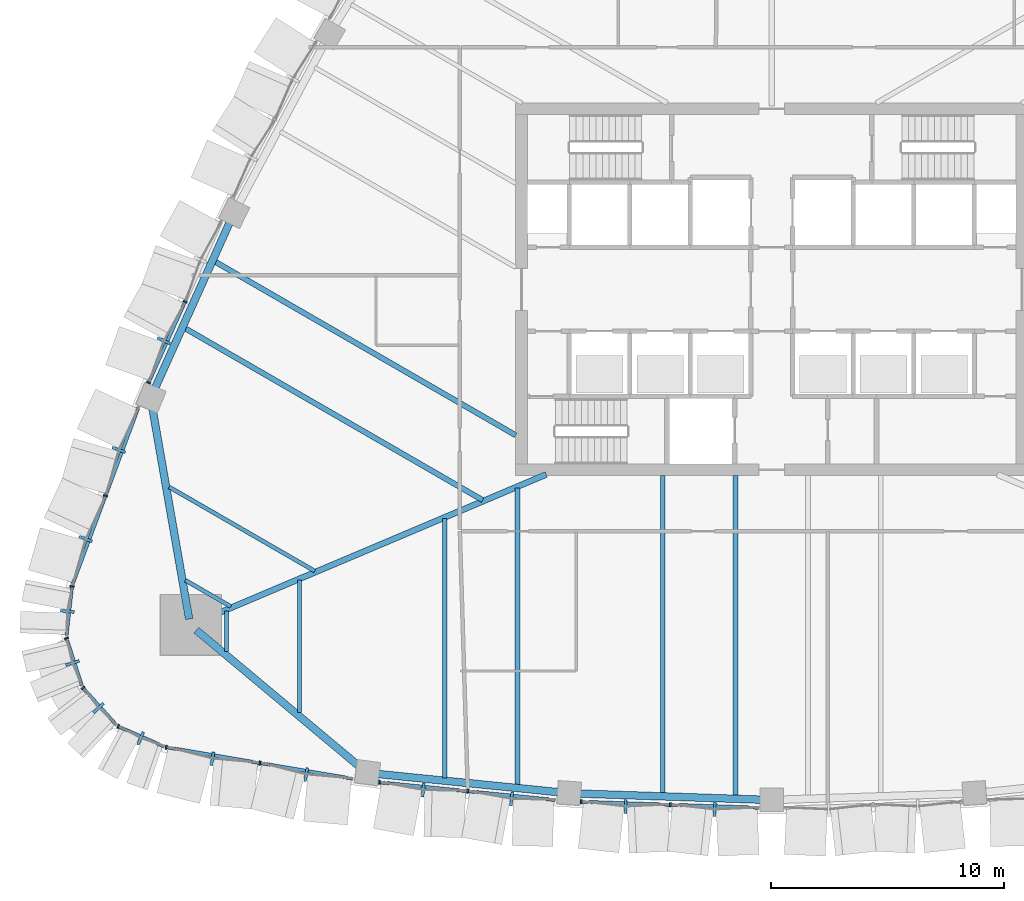
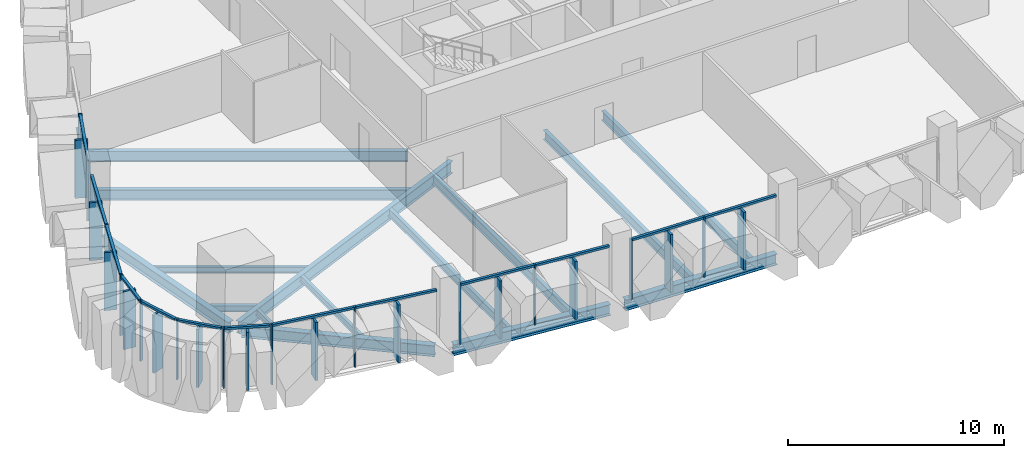
# One storey, part 2 of 18: 39 members, 16 beams, 9 elements without a shape of their own.
"""IFC4 building model written with IfcOpenShell, lengths in metres."""

from ifc_helpers import new_model, si_unit, direction, frame, origin, origin_2d, place, context, subcontext, project, spatial, rectangle, i_section, extrude, material, layer, layer_set, material_profile, profile_set, type_object, element, aggregate, save


model = new_model("IFC4")

# Units and contexts
model_context = context("Model", 3, precision=1e-05, world=origin(), true_north=direction((0.0, 1.0)))
body_context = subcontext(model_context, "Body", "Model", "MODEL_VIEW")
ifc_project = project(units=[si_unit("LENGTHUNIT", "METRE"), si_unit("AREAUNIT", "SQUARE_METRE"), si_unit("VOLUMEUNIT", "CUBIC_METRE"), si_unit("PLANEANGLEUNIT", "RADIAN"), si_unit("MASSUNIT", "GRAM", prefix="KILO")], contexts=[model_context])

# Site, building, storey
site_placement = place(None, origin())
site = spatial("IfcSite", under=ifc_project, at=site_placement, CompositionType="ELEMENT")
building_placement = place(site_placement, origin())
building = spatial("IfcBuilding", under=site, at=building_placement, Name="Sierra Prisma Convention Tower", CompositionType="ELEMENT")
storey_placement = place(building_placement, frame((0.0, 0.0, 129.800048828125)))
storey = spatial("IfcBuildingStorey", under=building, at=storey_placement, Name="L27", CompositionType="ELEMENT", Elevation=129.800048828125)

# Curtain wall, members
ifc_material_1 = material(Name="Aluminium and glass curtain wall", Category="aluminium")
ifc_layer = layer(ifc_material_1, 0.179931640625)
ifc_layer_set = layer_set([ifc_layer], Name="CW-2 Faceted crystal curtain wall")
curtain_wall_type = type_object("IfcCurtainWallType", Name="CW-2 Faceted crystal curtain wall", PredefinedType="NOTDEFINED", material=ifc_layer_set)
curtain_wall_1_placement = place(storey_placement, origin())
curtain_wall_1 = element("IfcCurtainWall", 1, at=curtain_wall_1_placement, inside=storey, type_object=curtain_wall_type, Name="CW-2 S1 L27", PredefinedType="NOTDEFINED")
ifc_material_2 = material(Name="Aluminium 6063-T6 bronze anodised", Category="aluminium")
ifc_material_profile_1 = material_profile(ifc_material_2, rectangle(XDim=0.1201171875, YDim=0.60009765625, at=origin_2d()), Name="ALU RIDGE BLADE 120x600")
ifc_profile_set_1 = profile_set([ifc_material_profile_1], Name="Aluminium 6063-T6 bronze anodised")
member_type_1 = type_object("IfcMemberType", Name="CW hip bronze", PredefinedType="MULLION", material=ifc_profile_set_1)
member_1_placement = place(storey_placement, frame((-24.027587890625, -20.16845703125, 0.0), z_axis=(0.0, 0.0, 1.0), x_axis=(0.986041640305, -0.166498899652, 0.0)))
member_1 = element("IfcMember", 2, at=member_1_placement, type_object=member_type_1, Name="CW-2 ridge S1.1", PredefinedType="MULLION", context=body_context, shape_type="SweptSolid", body=[
    extrude(rectangle(XDim=0.1201171875, YDim=0.60009765625, at=origin_2d()), origin(), (0.0, 0.0, 1.0), 3.280029296875),
])
member_2_placement = place(storey_placement, frame((-19.99951171875, -20.8486328125, 0.0), z_axis=(0.0, 0.0, 1.0), x_axis=(0.986041640305, -0.166498899652, 0.0)))
member_2 = element("IfcMember", 3, at=member_2_placement, type_object=member_type_1, Name="CW-2 ridge S1.2", PredefinedType="MULLION", context=body_context, shape_type="SweptSolid", body=[
    extrude(rectangle(XDim=0.1201171875, YDim=0.60009765625, at=origin_2d()), origin(), (0.0, 0.0, 1.0), 3.280029296875),
])

curtain_wall_2_placement = place(storey_placement, origin())
curtain_wall_2 = element("IfcCurtainWall", 4, at=curtain_wall_2_placement, inside=storey, type_object=curtain_wall_type, Name="CW-2 S2 L27", PredefinedType="NOTDEFINED")
member_3_placement = place(storey_placement, frame((-14.97265625, -21.517578125, 0.0), z_axis=(0.0, 0.0, 1.0), x_axis=(0.994967483363, -0.100198338565, 0.0)))
member_3 = element("IfcMember", 5, at=member_3_placement, type_object=member_type_1, Name="CW-2 ridge S2.1", PredefinedType="MULLION", context=body_context, shape_type="SweptSolid", body=[
    extrude(rectangle(XDim=0.1201171875, YDim=0.60009765625, at=origin_2d()), origin(), (0.0, 0.0, 1.0), 3.280029296875),
])
member_4_placement = place(storey_placement, frame((-11.17919921875, -21.899658203125, 0.0), z_axis=(0.0, 0.0, 1.0), x_axis=(0.994967483363, -0.100198338565, 0.0)))
member_4 = element("IfcMember", 6, at=member_4_placement, type_object=member_type_1, Name="CW-2 ridge S2.2", PredefinedType="MULLION", context=body_context, shape_type="SweptSolid", body=[
    extrude(rectangle(XDim=0.1201171875, YDim=0.60009765625, at=origin_2d()), origin(), (0.0, 0.0, 1.0), 3.280029296875),
])

curtain_wall_3_placement = place(storey_placement, origin())
curtain_wall_3 = element("IfcCurtainWall", 7, at=curtain_wall_3_placement, inside=storey, type_object=curtain_wall_type, Name="CW-2 S3 L27", PredefinedType="NOTDEFINED")
member_5_placement = place(storey_placement, frame((-6.279541015625, -22.227783203125, 0.0), z_axis=(0.0, 0.0, 1.0), x_axis=(0.999440414047, -0.03344934632, 0.0)))
member_5 = element("IfcMember", 8, at=member_5_placement, type_object=member_type_1, Name="CW-2 ridge S3.1", PredefinedType="MULLION", context=body_context, shape_type="SweptSolid", body=[
    extrude(rectangle(XDim=0.1201171875, YDim=0.60009765625, at=origin_2d()), origin(), (0.0, 0.0, 1.0), 3.280029296875),
])
member_6_placement = place(storey_placement, frame((-2.452880859375, -22.35595703125, 0.0), z_axis=(0.0, 0.0, 1.0), x_axis=(0.999440414047, -0.03344934632, 0.0)))
member_6 = element("IfcMember", 9, at=member_6_placement, type_object=member_type_1, Name="CW-2 ridge S3.2", PredefinedType="MULLION", context=body_context, shape_type="SweptSolid", body=[
    extrude(rectangle(XDim=0.1201171875, YDim=0.60009765625, at=origin_2d()), origin(), (0.0, 0.0, 1.0), 3.280029296875),
])

# Curtain wall, member
curtain_wall_4_placement = place(storey_placement, origin())
curtain_wall_4 = element("IfcCurtainWall", 10, at=curtain_wall_4_placement, inside=storey, type_object=curtain_wall_type, Name="CW-2 NW5 L27", PredefinedType="NOTDEFINED")
member_7_placement = place(storey_placement, frame((-26.12109375, -2.2080078125, 0.0), z_axis=(0.0, 0.0, 1.0), x_axis=(-0.410709435067, -0.911766285814, 0.0)))
member_7 = element("IfcMember", 11, at=member_7_placement, type_object=member_type_1, Name="CW-2 ridge NW5.2", PredefinedType="MULLION", context=body_context, shape_type="SweptSolid", body=[
    extrude(rectangle(XDim=0.1201171875, YDim=0.60009765625, at=origin_2d()), origin(), (0.0, 0.0, 1.0), 3.280029296875),
])

# Curtain wall, members
curtain_wall_5_placement = place(storey_placement, origin())
curtain_wall_5 = element("IfcCurtainWall", 12, at=curtain_wall_5_placement, inside=storey, type_object=curtain_wall_type, Name="CW-2 NW6 L27", PredefinedType="NOTDEFINED")
member_8_placement = place(storey_placement, frame((-28.05517578125, -6.895751953125, 0.0), z_axis=(0.0, 0.0, 1.0), x_axis=(-0.348828543352, -0.937186559519, 0.0)))
member_8 = element("IfcMember", 13, at=member_8_placement, type_object=member_type_1, Name="CW-2 ridge NW6.1", PredefinedType="MULLION", context=body_context, shape_type="SweptSolid", body=[
    extrude(rectangle(XDim=0.1201171875, YDim=0.60009765625, at=origin_2d()), origin(), (0.0, 0.0, 1.0), 3.280029296875),
])
member_9_placement = place(storey_placement, frame((-29.480224609375, -10.724365234375, 0.0), z_axis=(0.0, 0.0, 1.0), x_axis=(-0.348828543352, -0.937186559519, 0.0)))
member_9 = element("IfcMember", 14, at=member_9_placement, type_object=member_type_1, Name="CW-2 ridge NW6.2", PredefinedType="MULLION", context=body_context, shape_type="SweptSolid", body=[
    extrude(rectangle(XDim=0.1201171875, YDim=0.60009765625, at=origin_2d()), origin(), (0.0, 0.0, 1.0), 3.280029296875),
])

# Curtain wall, member
curtain_wall_6_placement = place(storey_placement, origin())
curtain_wall_6 = element("IfcCurtainWall", 15, at=curtain_wall_6_placement, inside=storey, type_object=curtain_wall_type, Name="CW-2 SW1 L27", PredefinedType="NOTDEFINED")
member_10_placement = place(storey_placement, frame((-30.263916015625, -13.834228515625, 0.0), z_axis=(0.0, 0.0, 1.0), x_axis=(-0.111019910952, -0.993818182251, 0.0)))
member_10 = element("IfcMember", 16, at=member_10_placement, type_object=member_type_1, Name="CW-2 ridge SW1.1", PredefinedType="MULLION", context=body_context, shape_type="SweptSolid", body=[
    extrude(rectangle(XDim=0.1201171875, YDim=0.60009765625, at=origin_2d()), origin(), (0.0, 0.0, 1.0), 3.280029296875),
])

curtain_wall_7_placement = place(storey_placement, origin())
curtain_wall_7 = element("IfcCurtainWall", 17, at=curtain_wall_7_placement, inside=storey, type_object=curtain_wall_type, Name="CW-2 SW2 L27", PredefinedType="NOTDEFINED")
member_11_placement = place(storey_placement, frame((-30.040283203125, -16.054931640625, 0.0), z_axis=(0.0, 0.0, 1.0), x_axis=(0.306946292331, -0.951726837714, 0.0)))
member_11 = element("IfcMember", 18, at=member_11_placement, type_object=member_type_1, Name="CW-2 ridge SW2.1", PredefinedType="MULLION", context=body_context, shape_type="SweptSolid", body=[
    extrude(rectangle(XDim=0.1201171875, YDim=0.60009765625, at=origin_2d()), origin(), (0.0, 0.0, 1.0), 3.280029296875),
])

curtain_wall_8_placement = place(storey_placement, origin())
curtain_wall_8 = element("IfcCurtainWall", 19, at=curtain_wall_8_placement, inside=storey, type_object=curtain_wall_type, Name="CW-2 SW3 L27", PredefinedType="NOTDEFINED")
member_12_placement = place(storey_placement, frame((-28.92431640625, -17.988037109375, 0.0), z_axis=(0.0, 0.0, 1.0), x_axis=(0.670746472758, -0.741686705613, 0.0)))
member_12 = element("IfcMember", 20, at=member_12_placement, type_object=member_type_1, Name="CW-2 ridge SW3.1", PredefinedType="MULLION", context=body_context, shape_type="SweptSolid", body=[
    extrude(rectangle(XDim=0.1201171875, YDim=0.60009765625, at=origin_2d()), origin(), (0.0, 0.0, 1.0), 3.280029296875),
])

curtain_wall_9_placement = place(storey_placement, origin())
curtain_wall_9 = element("IfcCurtainWall", 21, at=curtain_wall_9_placement, inside=storey, type_object=curtain_wall_type, Name="CW-2 SW4 L27", PredefinedType="NOTDEFINED")
member_13_placement = place(storey_placement, frame((-27.11279296875, -19.292236328125, 0.0), z_axis=(0.0, 0.0, 1.0), x_axis=(0.916181748048, -0.400763027915, 0.0)))
member_13 = element("IfcMember", 22, at=member_13_placement, type_object=member_type_1, Name="CW-2 ridge SW4.1", PredefinedType="MULLION", context=body_context, shape_type="SweptSolid", body=[
    extrude(rectangle(XDim=0.1201171875, YDim=0.60009765625, at=origin_2d()), origin(), (0.0, 0.0, 1.0), 3.280029296875),
])

# Member
ifc_material_3 = material(Name="Aluminium 6063-T6 bronze anodised", Category="aluminium")
ifc_material_profile_2 = material_profile(ifc_material_3, rectangle(XDim=0.179931640625, YDim=0.070068359375, at=origin_2d()), Name="ALU MULLION 70x180")
ifc_profile_set_2 = profile_set([ifc_material_profile_2], Name="Aluminium 6063-T6 bronze anodised")
member_type_2 = type_object("IfcMemberType", Name="CW mullion bronze", PredefinedType="MULLION", material=ifc_profile_set_2)
member_14_placement = place(storey_placement, frame((-26.015380859375, -19.67236328125, 0.0), z_axis=(0.0, 0.0, 1.0), x_axis=(0.166498899652, 0.986041640305, 0.0)))
member_14 = element("IfcMember", 23, at=member_14_placement, type_object=member_type_2, Name="CW-1 mullion S1.1", PredefinedType="MULLION", context=body_context, shape_type="SweptSolid", body=[
    extrude(rectangle(XDim=0.179931640625, YDim=0.070068359375, at=origin_2d()), origin(), (0.0, 0.0, 1.0), 3.39990234375),
])

member_15_placement = place(storey_placement, frame((-21.9873046875, -20.3525390625, 0.0), z_axis=(0.0, 0.0, 1.0), x_axis=(0.166498899652, 0.986041640305, 0.0)))
member_15 = element("IfcMember", 24, at=member_15_placement, type_object=member_type_2, Name="CW-1 mullion S1.2", PredefinedType="MULLION", context=body_context, shape_type="SweptSolid", body=[
    extrude(rectangle(XDim=0.179931640625, YDim=0.070068359375, at=origin_2d()), origin(), (0.0, 0.0, 1.0), 3.39990234375),
])

member_16_placement = place(storey_placement, frame((-16.854736328125, -21.179931640625, 0.0), z_axis=(0.0, 0.0, 1.0), x_axis=(0.100198338565, 0.994967483363, 0.0)))
member_16 = element("IfcMember", 25, at=member_16_placement, type_object=member_type_2, Name="CW-1 mullion S2.1", PredefinedType="MULLION", context=body_context, shape_type="SweptSolid", body=[
    extrude(rectangle(XDim=0.179931640625, YDim=0.070068359375, at=origin_2d()), origin(), (0.0, 0.0, 1.0), 3.39990234375),
])

member_17_placement = place(storey_placement, frame((-13.061279296875, -21.56201171875, 0.0), z_axis=(0.0, 0.0, 1.0), x_axis=(0.100198338565, 0.994967483363, 0.0)))
member_17 = element("IfcMember", 26, at=member_17_placement, type_object=member_type_2, Name="CW-1 mullion S2.2", PredefinedType="MULLION", context=body_context, shape_type="SweptSolid", body=[
    extrude(rectangle(XDim=0.179931640625, YDim=0.070068359375, at=origin_2d()), origin(), (0.0, 0.0, 1.0), 3.39990234375),
])

member_18_placement = place(storey_placement, frame((-8.18798828125, -22.015869140625, 0.0), z_axis=(0.0, 0.0, 1.0), x_axis=(0.03344934632, 0.999440414047, 0.0)))
member_18 = element("IfcMember", 27, at=member_18_placement, type_object=member_type_2, Name="CW-1 mullion S3.1", PredefinedType="MULLION", context=body_context, shape_type="SweptSolid", body=[
    extrude(rectangle(XDim=0.179931640625, YDim=0.070068359375, at=origin_2d()), origin(), (0.0, 0.0, 1.0), 3.39990234375),
])

member_19_placement = place(storey_placement, frame((-4.361328125, -22.14404296875, 0.0), z_axis=(0.0, 0.0, 1.0), x_axis=(0.03344934632, 0.999440414047, 0.0)))
member_19 = element("IfcMember", 28, at=member_19_placement, type_object=member_type_2, Name="CW-1 mullion S3.2", PredefinedType="MULLION", context=body_context, shape_type="SweptSolid", body=[
    extrude(rectangle(XDim=0.179931640625, YDim=0.070068359375, at=origin_2d()), origin(), (0.0, 0.0, 1.0), 3.39990234375),
])

member_20_placement = place(storey_placement, frame((-25.203857421875, -0.5302734375, 0.0), z_axis=(0.0, 0.0, 1.0), x_axis=(0.911766285814, -0.410709435067, 0.0)))
member_20 = element("IfcMember", 29, at=member_20_placement, type_object=member_type_2, Name="CW-1 mullion NW5.2", PredefinedType="MULLION", context=body_context, shape_type="SweptSolid", body=[
    extrude(rectangle(XDim=0.179931640625, YDim=0.070068359375, at=origin_2d()), origin(), (0.0, 0.0, 1.0), 3.39990234375),
])

member_21_placement = place(storey_placement, frame((-26.769775390625, -4.006591796875, 0.0), z_axis=(0.0, 0.0, 1.0), x_axis=(0.911766285814, -0.410709435067, 0.0)))
member_21 = element("IfcMember", 30, at=member_21_placement, type_object=member_type_2, Name="CW-1 mullion NW5.3", PredefinedType="MULLION", context=body_context, shape_type="SweptSolid", body=[
    extrude(rectangle(XDim=0.179931640625, YDim=0.070068359375, at=origin_2d()), origin(), (0.0, 0.0, 1.0), 3.39990234375),
])

member_22_placement = place(storey_placement, frame((-28.61962890625, -8.865234375, 0.0), z_axis=(0.0, 0.0, 1.0), x_axis=(0.937186559519, -0.348828543352, 0.0)))
member_22 = element("IfcMember", 31, at=member_22_placement, type_object=member_type_2, Name="CW-1 mullion NW6.2", PredefinedType="MULLION", context=body_context, shape_type="SweptSolid", body=[
    extrude(rectangle(XDim=0.179931640625, YDim=0.070068359375, at=origin_2d()), origin(), (0.0, 0.0, 1.0), 3.39990234375),
])

member_23_placement = place(storey_placement, frame((-30.060546875, -12.761474609375, 0.0), z_axis=(0.0, 0.0, 1.0), x_axis=(0.993818182251, -0.111019910952, 0.0)))
member_23 = element("IfcMember", 32, at=member_23_placement, type_object=member_type_2, Name="CW-1 mullion SW1.1", PredefinedType="MULLION", context=body_context, shape_type="SweptSolid", body=[
    extrude(rectangle(XDim=0.179931640625, YDim=0.070068359375, at=origin_2d()), origin(), (0.0, 0.0, 1.0), 3.39990234375),
])

member_24_placement = place(storey_placement, frame((-30.295654296875, -14.993408203125, 0.0), z_axis=(0.0, 0.0, 1.0), x_axis=(0.951726837714, 0.306946292331, 0.0)))
member_24 = element("IfcMember", 33, at=member_24_placement, type_object=member_type_2, Name="CW-1 mullion SW2.1", PredefinedType="MULLION", context=body_context, shape_type="SweptSolid", body=[
    extrude(rectangle(XDim=0.179931640625, YDim=0.070068359375, at=origin_2d()), origin(), (0.0, 0.0, 1.0), 3.39990234375),
])

member_25_placement = place(storey_placement, frame((-29.593017578125, -17.125, 0.0), z_axis=(0.0, 0.0, 1.0), x_axis=(0.741686705613, 0.670746472758, 0.0)))
member_25 = element("IfcMember", 34, at=member_25_placement, type_object=member_type_2, Name="CW-1 mullion SW3.1", PredefinedType="MULLION", context=body_context, shape_type="SweptSolid", body=[
    extrude(rectangle(XDim=0.179931640625, YDim=0.070068359375, at=origin_2d()), origin(), (0.0, 0.0, 1.0), 3.39990234375),
])

member_26_placement = place(storey_placement, frame((-28.076904296875, -18.780029296875, 0.0), z_axis=(0.0, 0.0, 1.0), x_axis=(0.400763027915, 0.916181748048, 0.0)))
member_26 = element("IfcMember", 35, at=member_26_placement, type_object=member_type_2, Name="CW-1 mullion SW4.1", PredefinedType="MULLION", context=body_context, shape_type="SweptSolid", body=[
    extrude(rectangle(XDim=0.179931640625, YDim=0.070068359375, at=origin_2d()), origin(), (0.0, 0.0, 1.0), 3.39990234375),
])

ifc_material_4 = material(Name="Aluminium 6063-T6 bronze anodised", Category="aluminium")
ifc_material_profile_3 = material_profile(ifc_material_4, rectangle(XDim=0.139892578125, YDim=0.1201171875, at=origin_2d()), Name="ALU TRANSOM 120x140")
ifc_profile_set_3 = profile_set([ifc_material_profile_3], Name="Aluminium 6063-T6 bronze anodised")
member_type_3 = type_object("IfcMemberType", Name="CW transom bronze", PredefinedType="USERDEFINED", material=ifc_profile_set_3)
member_27_placement = place(storey_placement, frame((-25.98095703125, -19.67822265625, 3.33984375), z_axis=(0.986035004571, -0.166538193101, 0.0), x_axis=(0.166538193101, 0.986035004571, 0.0)))
member_27 = element("IfcMember", 36, at=member_27_placement, type_object=member_type_3, Name="CW-1 transom S1.1", ObjectType="TRANSOM", PredefinedType="USERDEFINED", context=body_context, shape_type="SweptSolid", body=[
    extrude(rectangle(XDim=0.139892578125, YDim=0.1201171875, at=origin_2d()), origin(), (0.0, 0.0, 1.0), 4.015380859375),
])

member_28_placement = place(storey_placement, frame((-21.952880859375, -20.3583984375, 3.33984375), z_axis=(0.986035004571, -0.166538193101, 0.0), x_axis=(0.166538193101, 0.986035004571, 0.0)))
member_28 = element("IfcMember", 37, at=member_28_placement, type_object=member_type_3, Name="CW-1 transom S1.2", ObjectType="TRANSOM", PredefinedType="USERDEFINED", context=body_context, shape_type="SweptSolid", body=[
    extrude(rectangle(XDim=0.139892578125, YDim=0.1201171875, at=origin_2d()), origin(), (0.0, 0.0, 1.0), 4.015380859375),
])

aggregate(curtain_wall_1, [member_14, member_15, member_27, member_1, member_28, member_2])

member_29_placement = place(storey_placement, frame((-16.81982421875, -21.18359375, 3.33984375), z_axis=(0.994967844169, -0.100194755697, 0.0), x_axis=(0.100194755697, 0.994967844169, 0.0)))
member_29 = element("IfcMember", 38, at=member_29_placement, type_object=member_type_3, Name="CW-1 transom S2.1", ObjectType="TRANSOM", PredefinedType="USERDEFINED", context=body_context, shape_type="SweptSolid", body=[
    extrude(rectangle(XDim=0.139892578125, YDim=0.1201171875, at=origin_2d()), origin(), (0.0, 0.0, 1.0), 3.74267578125),
])

member_30_placement = place(storey_placement, frame((-13.0263671875, -21.5654296875, 3.33984375), z_axis=(0.994967844169, -0.100194755697, 0.0), x_axis=(0.100194755697, 0.994967844169, 0.0)))
member_30 = element("IfcMember", 39, at=member_30_placement, type_object=member_type_3, Name="CW-1 transom S2.2", ObjectType="TRANSOM", PredefinedType="USERDEFINED", context=body_context, shape_type="SweptSolid", body=[
    extrude(rectangle(XDim=0.139892578125, YDim=0.1201171875, at=origin_2d()), origin(), (0.0, 0.0, 1.0), 3.74267578125),
])

aggregate(curtain_wall_2, [member_16, member_17, member_29, member_3, member_30, member_4])

member_31_placement = place(storey_placement, frame((-8.153076171875, -22.01708984375, 3.33984375), z_axis=(0.999440428664, -0.033448909589, 0.0), x_axis=(0.033448909589, 0.999440428664, 0.0)))
member_31 = element("IfcMember", 40, at=member_31_placement, type_object=member_type_3, Name="CW-1 transom S3.1", ObjectType="TRANSOM", PredefinedType="USERDEFINED", context=body_context, shape_type="SweptSolid", body=[
    extrude(rectangle(XDim=0.139892578125, YDim=0.1201171875, at=origin_2d()), origin(), (0.0, 0.0, 1.0), 3.759033203125),
])

member_32_placement = place(storey_placement, frame((-4.326416015625, -22.145263671875, 3.33984375), z_axis=(0.999440428664, -0.033448909589, 0.0), x_axis=(0.033448909589, 0.999440428664, 0.0)))
member_32 = element("IfcMember", 41, at=member_32_placement, type_object=member_type_3, Name="CW-1 transom S3.2", ObjectType="TRANSOM", PredefinedType="USERDEFINED", context=body_context, shape_type="SweptSolid", body=[
    extrude(rectangle(XDim=0.139892578125, YDim=0.1201171875, at=origin_2d()), origin(), (0.0, 0.0, 1.0), 3.759033203125),
])

aggregate(curtain_wall_3, [member_18, member_19, member_31, member_5, member_32, member_6])

member_33_placement = place(storey_placement, frame((-25.21826171875, -0.562255859375, 3.33984375), z_axis=(-0.410709123497, -0.911766426162, 0.0), x_axis=(0.911766426162, -0.410709123497, 0.0)))
member_33 = element("IfcMember", 42, at=member_33_placement, type_object=member_type_3, Name="CW-1 transom NW5.2", ObjectType="TRANSOM", PredefinedType="USERDEFINED", context=body_context, shape_type="SweptSolid", body=[
    extrude(rectangle(XDim=0.139892578125, YDim=0.1201171875, at=origin_2d()), origin(), (0.0, 0.0, 1.0), 3.74267578125),
])

aggregate(curtain_wall_4, [member_20, member_21, member_33, member_7])

member_34_placement = place(storey_placement, frame((-27.206787109375, -5.069580078125, 3.33984375), z_axis=(-0.348836803557, -0.937183484961, 0.0), x_axis=(0.937183484961, -0.348836803557, 0.0)))
member_34 = element("IfcMember", 43, at=member_34_placement, type_object=member_type_3, Name="CW-1 transom NW6.1", ObjectType="TRANSOM", PredefinedType="USERDEFINED", context=body_context, shape_type="SweptSolid", body=[
    extrude(rectangle(XDim=0.139892578125, YDim=0.1201171875, at=origin_2d()), origin(), (0.0, 0.0, 1.0), 4.01513671875),
])

member_35_placement = place(storey_placement, frame((-28.6318359375, -8.89794921875, 3.33984375), z_axis=(-0.348836803557, -0.937183484961, 0.0), x_axis=(0.937183484961, -0.348836803557, 0.0)))
member_35 = element("IfcMember", 44, at=member_35_placement, type_object=member_type_3, Name="CW-1 transom NW6.2", ObjectType="TRANSOM", PredefinedType="USERDEFINED", context=body_context, shape_type="SweptSolid", body=[
    extrude(rectangle(XDim=0.139892578125, YDim=0.1201171875, at=origin_2d()), origin(), (0.0, 0.0, 1.0), 4.01513671875),
])

aggregate(curtain_wall_5, [member_22, member_34, member_8, member_35, member_9])

member_36_placement = place(storey_placement, frame((-30.064453125, -12.796142578125, 3.33984375), z_axis=(-0.111092649687, -0.993810053876, 0.0), x_axis=(0.993810053876, -0.111092649687, 0.0)))
member_36 = element("IfcMember", 45, at=member_36_placement, type_object=member_type_3, Name="CW-1 transom SW1.1", ObjectType="TRANSOM", PredefinedType="USERDEFINED", context=body_context, shape_type="SweptSolid", body=[
    extrude(rectangle(XDim=0.139892578125, YDim=0.1201171875, at=origin_2d()), origin(), (0.0, 0.0, 1.0), 2.107421875),
])

aggregate(curtain_wall_6, [member_23, member_36, member_10])

member_37_placement = place(storey_placement, frame((-30.284912109375, -15.02685546875, 3.33984375), z_axis=(0.307002779923, -0.951708617761, 0.0), x_axis=(0.951708617761, 0.307002779923, 0.0)))
member_37 = element("IfcMember", 46, at=member_37_placement, type_object=member_type_3, Name="CW-1 transom SW2.1", ObjectType="TRANSOM", PredefinedType="USERDEFINED", context=body_context, shape_type="SweptSolid", body=[
    extrude(rectangle(XDim=0.139892578125, YDim=0.1201171875, at=origin_2d()), origin(), (0.0, 0.0, 1.0), 2.107421875),
])

aggregate(curtain_wall_7, [member_24, member_37, member_11])

member_38_placement = place(storey_placement, frame((-29.569580078125, -17.15087890625, 3.33984375), z_axis=(0.670710074306, -0.741719621033, 0.0), x_axis=(0.741719621033, 0.670710074306, 0.0)))
member_38 = element("IfcMember", 47, at=member_38_placement, type_object=member_type_3, Name="CW-1 transom SW3.1", ObjectType="TRANSOM", PredefinedType="USERDEFINED", context=body_context, shape_type="SweptSolid", body=[
    extrude(rectangle(XDim=0.139892578125, YDim=0.1201171875, at=origin_2d()), origin(), (0.0, 0.0, 1.0), 2.107666015625),
])

aggregate(curtain_wall_8, [member_25, member_38, member_12])

member_39_placement = place(storey_placement, frame((-28.044921875, -18.7939453125, 3.33984375), z_axis=(0.916165310474, -0.400800603647, 0.0), x_axis=(0.400800603647, 0.916165310474, 0.0)))
member_39 = element("IfcMember", 48, at=member_39_placement, type_object=member_type_3, Name="CW-1 transom SW4.1", ObjectType="TRANSOM", PredefinedType="USERDEFINED", context=body_context, shape_type="SweptSolid", body=[
    extrude(rectangle(XDim=0.139892578125, YDim=0.1201171875, at=origin_2d()), origin(), (0.0, 0.0, 1.0), 2.107666015625),
])

aggregate(curtain_wall_9, [member_26, member_39, member_13])

# Beams
ifc_material_5 = material(Name="Steel ASTM A992 Gr 50", Category="steel")
ifc_material_profile_4 = material_profile(ifc_material_5, i_section(OverallWidth=0.172119140625, OverallDepth=0.35791015625, WebThickness=0.0078125, FlangeThickness=0.01318359375, at=origin_2d()), Name="W360x57")
ifc_profile_set_4 = profile_set([ifc_material_profile_4], Name="Steel ASTM A992 Gr 50")
beam_type_1 = type_object("IfcBeamType", Name="Floor joist W360x57", PredefinedType="JOIST", material=ifc_profile_set_4)
beam_1_placement = place(storey_placement, frame((-23.421875, -15.5673828125, -0.3291015625), z_axis=(0.0, 1.0, 0.0), x_axis=(-1.0, 0.0, 0.0)))
element("IfcBeam", 49, at=beam_1_placement, inside=storey, type_object=beam_type_1, Name="Floor joist L27 S01", PredefinedType="JOIST", context=body_context, shape_type="SweptSolid", body=[
    extrude(i_section(OverallWidth=0.172119140625, OverallDepth=0.35791015625, WebThickness=0.0078125, FlangeThickness=0.01318359375, at=origin_2d()), origin(), (0.0, 0.0, 1.0), 1.748779296875),
])
beam_2_placement = place(storey_placement, frame((-20.298828125, -18.177734375, -0.3291015625), z_axis=(0.0, 1.0, 0.0), x_axis=(-1.0, 0.0, 0.0)))
element("IfcBeam", 50, at=beam_2_placement, inside=storey, type_object=beam_type_1, Name="Floor joist L27 S02", PredefinedType="JOIST", context=body_context, shape_type="SweptSolid", body=[
    extrude(i_section(OverallWidth=0.172119140625, OverallDepth=0.35791015625, WebThickness=0.0078125, FlangeThickness=0.01318359375, at=origin_2d()), origin(), (0.0, 0.0, 1.0), 5.680419921875),
])
beam_3_placement = place(storey_placement, frame((-25.891845703125, -8.490478515625, -0.3291015625), z_axis=(0.866023038219, -0.500004097258, 0.0), x_axis=(0.500004097258, 0.866023038219, 0.0)))
element("IfcBeam", 51, at=beam_3_placement, inside=storey, type_object=beam_type_1, Name="Floor joist L27 NW15", PredefinedType="JOIST", context=body_context, shape_type="SweptSolid", body=[
    extrude(i_section(OverallWidth=0.172119140625, OverallDepth=0.35791015625, WebThickness=0.0078125, FlangeThickness=0.01318359375, at=origin_2d()), origin(), (0.0, 0.0, 1.0), 7.228515625),
])
beam_4_placement = place(storey_placement, frame((-25.192626953125, -12.500244140625, -0.3291015625), z_axis=(0.866066817379, -0.499928262689, 0.0), x_axis=(0.499928262689, 0.866066817379, 0.0)))
element("IfcBeam", 52, at=beam_4_placement, inside=storey, type_object=beam_type_1, Name="Floor joist L27 NW16", PredefinedType="JOIST", context=body_context, shape_type="SweptSolid", body=[
    extrude(i_section(OverallWidth=0.172119140625, OverallDepth=0.35791015625, WebThickness=0.0078125, FlangeThickness=0.01318359375, at=origin_2d()), origin(), (0.0, 0.0, 1.0), 2.259033203125),
])
ifc_material_6 = material(Name="Steel ASTM A992 Gr 50", Category="steel")
ifc_material_profile_5 = material_profile(ifc_material_6, i_section(OverallWidth=0.18994140625, OverallDepth=0.45703125, WebThickness=0.009033203125, FlangeThickness=0.014404296875, at=origin_2d()), Name="W460x74")
ifc_profile_set_5 = profile_set([ifc_material_profile_5], Name="Steel ASTM A992 Gr 50")
beam_type_2 = type_object("IfcBeamType", Name="Floor joist W460x74", PredefinedType="JOIST", material=ifc_profile_set_5)
beam_5_placement = place(storey_placement, frame((-14.052978515625, -20.997314453125, -0.378662109375), z_axis=(0.0, 1.0, 0.0), x_axis=(-1.0, 0.0, 0.0)))
element("IfcBeam", 53, at=beam_5_placement, inside=storey, type_object=beam_type_2, Name="Floor joist L27 S04", PredefinedType="JOIST", context=body_context, shape_type="SweptSolid", body=[
    extrude(i_section(OverallWidth=0.18994140625, OverallDepth=0.45703125, WebThickness=0.009033203125, FlangeThickness=0.014404296875, at=origin_2d()), origin(), (0.0, 0.0, 1.0), 11.142578125),
])
ifc_material_7 = material(Name="Steel ASTM A992 Gr 50", Category="steel")
ifc_material_profile_6 = material_profile(ifc_material_7, i_section(OverallWidth=0.208984375, OverallDepth=0.532958984375, WebThickness=0.01025390625, FlangeThickness=0.015625, at=origin_2d()), Name="W530x92")
ifc_profile_set_6 = profile_set([ifc_material_profile_6], Name="Steel ASTM A992 Gr 50")
beam_type_3 = type_object("IfcBeamType", Name="Floor joist W530x92", PredefinedType="JOIST", material=ifc_profile_set_6)
beam_6_placement = place(storey_placement, frame((-10.93017578125, -21.311767578125, -0.41650390625), z_axis=(0.0, 1.0, 0.0), x_axis=(-1.0, 0.0, 0.0)))
element("IfcBeam", 54, at=beam_6_placement, inside=storey, type_object=beam_type_3, Name="Floor joist L27 S05", PredefinedType="JOIST", context=body_context, shape_type="SweptSolid", body=[
    extrude(i_section(OverallWidth=0.208984375, OverallDepth=0.532958984375, WebThickness=0.01025390625, FlangeThickness=0.015625, at=origin_2d()), origin(), (0.0, 0.0, 1.0), 12.7783203125),
])
beam_7_placement = place(storey_placement, frame((-4.684326171875, -21.670654296875, -0.41650390625), z_axis=(0.0, 1.0, 0.0), x_axis=(-1.0, 0.0, 0.0)))
element("IfcBeam", 55, at=beam_7_placement, inside=storey, type_object=beam_type_3, Name="Floor joist L27 S07", PredefinedType="JOIST", context=body_context, shape_type="SweptSolid", body=[
    extrude(i_section(OverallWidth=0.208984375, OverallDepth=0.532958984375, WebThickness=0.01025390625, FlangeThickness=0.015625, at=origin_2d()), origin(), (0.0, 0.0, 1.0), 13.670654296875),
])
beam_8_placement = place(storey_placement, frame((-1.5615234375, -21.775146484375, -0.41650390625), z_axis=(0.0, 1.0, 0.0), x_axis=(-1.0, 0.0, 0.0)))
element("IfcBeam", 56, at=beam_8_placement, inside=storey, type_object=beam_type_3, Name="Floor joist L27 S08", PredefinedType="JOIST", context=body_context, shape_type="SweptSolid", body=[
    extrude(i_section(OverallWidth=0.208984375, OverallDepth=0.532958984375, WebThickness=0.01025390625, FlangeThickness=0.015625, at=origin_2d()), origin(), (0.0, 0.0, 1.0), 13.775146484375),
])
ifc_material_8 = material(Name="Steel ASTM A992 Gr 50", Category="steel")
ifc_material_profile_7 = material_profile(ifc_material_8, i_section(OverallWidth=0.22802734375, OverallDepth=0.60302734375, WebThickness=0.010498046875, FlangeThickness=0.014892578125, at=origin_2d()), Name="W610x101")
ifc_profile_set_7 = profile_set([ifc_material_profile_7], Name="Steel ASTM A992 Gr 50")
beam_type_4 = type_object("IfcBeamType", Name="Floor joist W610x101", PredefinedType="JOIST", material=ifc_profile_set_7)
beam_9_placement = place(storey_placement, frame((-23.921630859375, 1.190185546875, -0.45166015625), z_axis=(0.866021278026, -0.500007145954, 0.0), x_axis=(0.500007145954, 0.866021278026, 0.0)))
element("IfcBeam", 57, at=beam_9_placement, inside=storey, type_object=beam_type_4, Name="Floor joist L27 NW12", PredefinedType="JOIST", context=body_context, shape_type="SweptSolid", body=[
    extrude(i_section(OverallWidth=0.22802734375, OverallDepth=0.60302734375, WebThickness=0.010498046875, FlangeThickness=0.014892578125, at=origin_2d()), origin(), (0.0, 0.0, 1.0), 14.920654296875),
])
beam_10_placement = place(storey_placement, frame((-25.210693359375, -1.671630859375, -0.45166015625), z_axis=(0.866021483234, -0.500006790532, 0.0), x_axis=(0.500006790532, 0.866021483234, 0.0)))
element("IfcBeam", 58, at=beam_10_placement, inside=storey, type_object=beam_type_4, Name="Floor joist L27 NW13", PredefinedType="JOIST", context=body_context, shape_type="SweptSolid", body=[
    extrude(i_section(OverallWidth=0.22802734375, OverallDepth=0.60302734375, WebThickness=0.010498046875, FlangeThickness=0.014892578125, at=origin_2d()), origin(), (0.0, 0.0, 1.0), 14.765869140625),
])
ifc_material_9 = material(Name="Steel ASTM A992 Gr 50", Category="steel")
ifc_material_profile_8 = material_profile(ifc_material_9, i_section(OverallWidth=0.25390625, OverallDepth=0.68408203125, WebThickness=0.012451171875, FlangeThickness=0.018798828125, at=origin_2d()), Name="W690x140")
ifc_profile_set_8 = profile_set([ifc_material_profile_8], Name="Steel ASTM A992 Gr 50")
beam_type_5 = type_object("IfcBeamType", Name="Radial girder W690x140", PredefinedType="BEAM", material=ifc_profile_set_8)
beam_11_placement = place(storey_placement, frame((-24.72314453125, -14.31396484375, -0.491943359375), z_axis=(0.920957755547, 0.389662434035, 0.0), x_axis=(-0.389662434035, 0.920957755547, 0.0)))
element("IfcBeam", 59, at=beam_11_placement, inside=storey, type_object=beam_type_5, Name="Radial girder L27 SW", PredefinedType="BEAM", context=body_context, shape_type="SweptSolid", body=[
    extrude(i_section(OverallWidth=0.25390625, OverallDepth=0.68408203125, WebThickness=0.012451171875, FlangeThickness=0.018798828125, at=origin_2d()), origin(), (0.0, 0.0, 1.0), 16.323974609375),
])
ifc_material_10 = material(Name="Steel ASTM A992 Gr 50", Category="steel")
ifc_material_profile_9 = material_profile(ifc_material_10, i_section(OverallWidth=0.324951171875, OverallDepth=0.615966796875, WebThickness=0.013916015625, FlangeThickness=0.021484375, at=origin_2d()), Name="W610x174")
ifc_profile_set_9 = profile_set([ifc_material_profile_9], Name="Steel ASTM A992 Gr 50")
beam_type_6 = type_object("IfcBeamType", Name="Spandrel beam W610x174", PredefinedType="BEAM", material=ifc_profile_set_9)
beam_12_placement = place(storey_placement, frame((-24.72314453125, -14.641357421875, -0.4580078125), z_axis=(0.767271908482, -0.641321930433, 0.0), x_axis=(0.641321930433, 0.767271908482, 0.0)))
element("IfcBeam", 60, at=beam_12_placement, inside=storey, type_object=beam_type_6, Name="Spandrel L27-01", PredefinedType="BEAM", context=body_context, shape_type="SweptSolid", body=[
    extrude(i_section(OverallWidth=0.324951171875, OverallDepth=0.615966796875, WebThickness=0.013916015625, FlangeThickness=0.021484375, at=origin_2d()), origin(), (0.0, 0.0, 1.0), 9.093017578125),
])
for number, where, z_axis, x_axis, name in (
    (61, (-17.006591796875, -20.81298828125, -0.4580078125), (0.99496553796, -0.100217654494, 0.0), (0.100217654494, 0.99496553796, 0.0), "Spandrel L27-02"),
    (62, (-8.33203125, -21.6611328125, -0.4580078125), (0.99944050499, -0.033446628916, 0.0), (0.033446628916, 0.99944050499, 0.0), "Spandrel L27-03"),
    (63, (-23.26025390625, 2.9326171875, -0.4580078125), (-0.410725726367, -0.911758947146, 0.0), (0.911758947146, -0.410725726367, 0.0), "Spandrel L27-17"),
):
    element("IfcBeam", number, at=place(storey_placement, frame(where, z_axis=z_axis, x_axis=x_axis)), inside=storey, type_object=beam_type_6, Name=name, PredefinedType="BEAM", context=body_context, shape_type="SweptSolid", body=[
        extrude(i_section(OverallWidth=0.324951171875, OverallDepth=0.615966796875, WebThickness=0.013916015625, FlangeThickness=0.021484375, at=origin_2d()), origin(), (0.0, 0.0, 1.0), 7.956298828125),
    ])
beam_13_placement = place(storey_placement, frame((-26.603271484375, -5.13232421875, -0.4580078125), z_axis=(0.171761468426, -0.9851385679, 0.0), x_axis=(0.9851385679, 0.171761468426, 0.0)))
element("IfcBeam", 64, at=beam_13_placement, inside=storey, type_object=beam_type_6, Name="Spandrel L27-18", PredefinedType="BEAM", context=body_context, shape_type="SweptSolid", body=[
    extrude(i_section(OverallWidth=0.324951171875, OverallDepth=0.615966796875, WebThickness=0.013916015625, FlangeThickness=0.021484375, at=origin_2d()), origin(), (0.0, 0.0, 1.0), 9.16796875),
])

save(model, "model.ifc")
